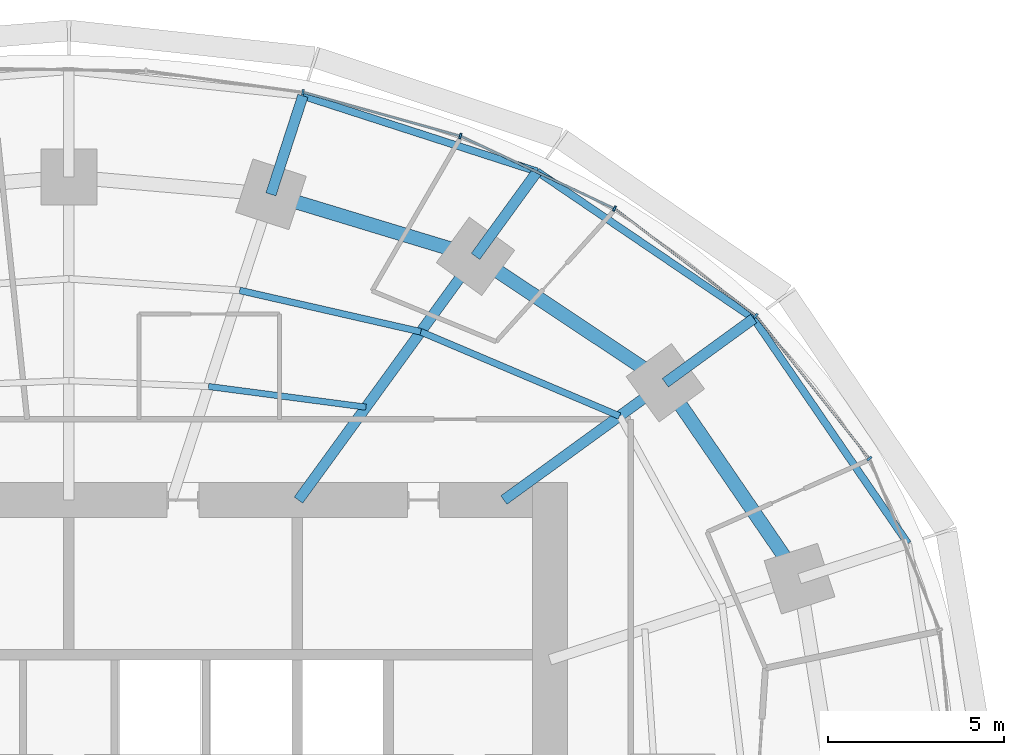
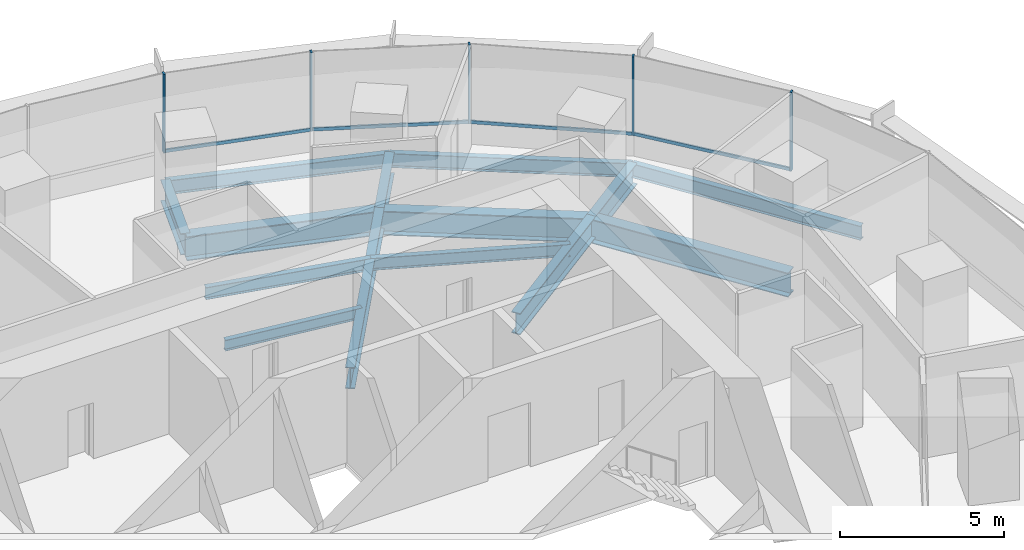
# One storey, part 8 of 14: 14 beams, 9 members, 2 elements without a shape of their own.
"""IFC4 building model written with IfcOpenShell, lengths in metres."""

from ifc_helpers import new_model, si_unit, direction, frame, origin, origin_2d, place, context, subcontext, project, spatial, rectangle, i_section, extrude, material, material_profile, profile_set, type_object, element, aggregate, save


model = new_model("IFC4")

# Units and contexts
model_context = context("Model", 3, precision=1e-05, world=origin(), true_north=direction((0.0, 1.0)))
body_context = subcontext(model_context, "Body", "Model", "MODEL_VIEW")
ifc_project = project(units=[si_unit("LENGTHUNIT", "METRE"), si_unit("AREAUNIT", "SQUARE_METRE"), si_unit("VOLUMEUNIT", "CUBIC_METRE"), si_unit("PLANEANGLEUNIT", "RADIAN"), si_unit("MASSUNIT", "GRAM", prefix="KILO")], contexts=[model_context])

# Site, building, storey
site_placement = place(None, origin())
site = spatial("IfcSite", under=ifc_project, at=site_placement, CompositionType="ELEMENT")
building_placement = place(site_placement, origin())
building = spatial("IfcBuilding", under=site, at=building_placement, Name="Marramba Exchange Tower", CompositionType="ELEMENT")
storey_placement = place(building_placement, frame((0.0, 0.0, 127.5)))
storey = spatial("IfcBuildingStorey", under=building, at=storey_placement, Name="L30", CompositionType="ELEMENT", Elevation=127.5)

# Beams
ifc_material_1 = material(Name="Steel AS/NZS 3679.2 grade 300", Category="steel")
ifc_material_profile_1 = material_profile(ifc_material_1, i_section(OverallWidth=0.300048828125, OverallDepth=0.800048828125, WebThickness=0.013916015625, FlangeThickness=0.031982421875, at=origin_2d()), Name="800WB192")
ifc_profile_set_1 = profile_set([ifc_material_profile_1], Name="Steel AS/NZS 3679.2 grade 300")
beam_type_1 = type_object("IfcBeamType", Name="Cantilever girder 800WB192", PredefinedType="BEAM", material=ifc_profile_set_1)
beam_1_placement = place(storey_placement, frame((16.98583984375, 12.3408203125, -0.56005859375), z_axis=(0.809013970709, 0.58778941399, 0.0), x_axis=(-0.58778941399, 0.809013970709, 0.0)))
element("IfcBeam", 1, at=beam_1_placement, inside=storey, type_object=beam_type_1, Name="Cantilever girder L30 TC03", PredefinedType="BEAM", context=body_context, shape_type="SweptSolid", body=[
    extrude(i_section(OverallWidth=0.300048828125, OverallDepth=0.800048828125, WebThickness=0.013916015625, FlangeThickness=0.031982421875, at=origin_2d()), origin(), (0.0, 0.0, 1.0), 3.1142578125),
])
beam_2_placement = place(storey_placement, frame((11.581298828125, 15.9404296875, -0.56005859375), z_axis=(0.587821738214, 0.808990484544, 0.0), x_axis=(-0.808990484544, 0.587821738214, 0.0)))
element("IfcBeam", 2, at=beam_2_placement, inside=storey, type_object=beam_type_1, Name="Cantilever girder L30 TC04", PredefinedType="BEAM", context=body_context, shape_type="SweptSolid", body=[
    extrude(i_section(OverallWidth=0.300048828125, OverallDepth=0.800048828125, WebThickness=0.013916015625, FlangeThickness=0.031982421875, at=origin_2d()), origin(), (0.0, 0.0, 1.0), 2.987060546875),
])
beam_3_placement = place(storey_placement, frame((5.75390625, 17.70849609375, -0.56005859375), z_axis=(0.309018704887, 0.951055960514, 0.0), x_axis=(-0.951055960514, 0.309018704887, 0.0)))
element("IfcBeam", 3, at=beam_3_placement, inside=storey, type_object=beam_type_1, Name="Cantilever girder L30 TC05", PredefinedType="BEAM", context=body_context, shape_type="SweptSolid", body=[
    extrude(i_section(OverallWidth=0.300048828125, OverallDepth=0.800048828125, WebThickness=0.013916015625, FlangeThickness=0.031982421875, at=origin_2d()), origin(), (0.0, 0.0, 1.0), 2.949951171875),
])
ifc_material_2 = material(Name="Steel AS/NZS 3679.1 grade 300", Category="steel")
ifc_material_profile_2 = material_profile(ifc_material_2, i_section(OverallWidth=0.177978515625, OverallDepth=0.406005859375, WebThickness=0.0078125, FlangeThickness=0.0126953125, FilletRadius=0.011474609375, at=origin_2d()), Name="410UB59.7")
ifc_profile_set_2 = profile_set([ifc_material_profile_2], Name="Steel AS/NZS 3679.1 grade 300")
beam_type_2 = type_object("IfcBeamType", Name="Floor joist 410UB59.7", PredefinedType="JOIST", material=ifc_profile_set_2)
beam_4_placement = place(storey_placement, frame((8.4619140625, 11.646728515625, -0.363037109375), z_axis=(-0.991480538255, 0.130254912618, 0.0), x_axis=(-0.130254912618, -0.991480538255, 0.0)))
element("IfcBeam", 4, at=beam_4_placement, inside=storey, type_object=beam_type_2, Name="Joist L30 bay 04 row 1", PredefinedType="JOIST", context=body_context, shape_type="SweptSolid", body=[
    extrude(i_section(OverallWidth=0.177978515625, OverallDepth=0.406005859375, WebThickness=0.0078125, FlangeThickness=0.0126953125, FilletRadius=0.011474609375, at=origin_2d()), origin(), (0.0, 0.0, 1.0), 4.524658203125),
])
ifc_material_profile_3 = material_profile(ifc_material_2, i_section(OverallWidth=0.18994140625, OverallDepth=0.4541015625, WebThickness=0.008544921875, FlangeThickness=0.0126953125, FilletRadius=0.011474609375, at=origin_2d()), Name="460UB67.1")
ifc_profile_set_3 = profile_set([ifc_material_profile_3], Name="Steel AS/NZS 3679.1 grade 300")
beam_type_3 = type_object("IfcBeamType", Name="Floor joist 460UB67.1", PredefinedType="JOIST", material=ifc_profile_set_3)
beam_5_placement = place(storey_placement, frame((15.682373046875, 11.393798828125, -0.386962890625), z_axis=(-0.920674336375, 0.390331610738, 0.0), x_axis=(-0.390331610738, -0.920674336375, 0.0)))
element("IfcBeam", 5, at=beam_5_placement, inside=storey, type_object=beam_type_3, Name="Joist L30 bay 03 row 2", PredefinedType="JOIST", context=body_context, shape_type="SweptSolid", body=[
    extrude(i_section(OverallWidth=0.18994140625, OverallDepth=0.4541015625, WebThickness=0.008544921875, FlangeThickness=0.0126953125, FilletRadius=0.011474609375, at=origin_2d()), origin(), (0.0, 0.0, 1.0), 6.1484375),
])
beam_6_placement = place(storey_placement, frame((10.021728515625, 13.793701171875, -0.386962890625), z_axis=(-0.974859652292, 0.222819788916, 0.0), x_axis=(-0.222819788916, -0.974859652292, 0.0)))
element("IfcBeam", 6, at=beam_6_placement, inside=storey, type_object=beam_type_3, Name="Joist L30 bay 04 row 2", PredefinedType="JOIST", context=body_context, shape_type="SweptSolid", body=[
    extrude(i_section(OverallWidth=0.18994140625, OverallDepth=0.4541015625, WebThickness=0.008544921875, FlangeThickness=0.0126953125, FilletRadius=0.011474609375, at=origin_2d()), origin(), (0.0, 0.0, 1.0), 5.2900390625),
])

# Curtain wall, members
ifc_material_3 = material(Name="Aluminium framing, bronze anodised", Category="aluminium")
curtain_wall_type = type_object("IfcCurtainWallType", Name="Office ribbon curtain wall", PredefinedType="USERDEFINED", material=ifc_material_3)
curtain_wall_1_placement = place(storey_placement, origin())
curtain_wall_1 = element("IfcCurtainWall", 7, at=curtain_wall_1_placement, inside=storey, type_object=curtain_wall_type, Name="Curtain wall CW4 L30 F01-F05", ObjectType="RIBBON CURTAIN WALL", PredefinedType="USERDEFINED")
ifc_material_4 = material(Name="Aluminium mullion, bronze anodised", Category="aluminium")
ifc_material_profile_4 = material_profile(ifc_material_4, rectangle(XDim=0.159912109375, YDim=0.06005859375, at=origin_2d()), Name="CW4 mullion 60x160")
ifc_profile_set_4 = profile_set([ifc_material_profile_4], Name="Aluminium mullion, bronze anodised")
member_type_1 = type_object("IfcMemberType", Name="Office ribbon curtain wall mullion", PredefinedType="MULLION", material=ifc_profile_set_4)
member_1_placement = place(storey_placement, frame((22.796630859375, 10.181640625, 0.800048828125), z_axis=(0.0, 0.0, 1.0), x_axis=(-0.783563266703, -0.621312004611, 0.0)))
member_1 = element("IfcMember", 8, at=member_1_placement, type_object=member_type_1, Name="CW4 mullion 1", PredefinedType="MULLION", context=body_context, shape_type="SweptSolid", body=[
    extrude(rectangle(XDim=0.159912109375, YDim=0.06005859375, at=origin_2d()), origin(), (0.0, 0.0, 1.0), 2.93994140625),
])
member_2_placement = place(storey_placement, frame((19.5625, 14.24853515625, 0.800048828125), z_axis=(0.0, 0.0, 1.0), x_axis=(-0.60533377223, -0.795971748366, 0.0)))
member_2 = element("IfcMember", 9, at=member_2_placement, type_object=member_type_1, Name="CW4 mullion 1", PredefinedType="MULLION", context=body_context, shape_type="SweptSolid", body=[
    extrude(rectangle(XDim=0.159912109375, YDim=0.06005859375, at=origin_2d()), origin(), (0.0, 0.0, 1.0), 2.93994140625),
])
member_3_placement = place(storey_placement, frame((15.538818359375, 17.300537109375, 0.800048828125), z_axis=(0.0, 0.0, 1.0), x_axis=(-0.426678995157, -0.904403137485, 0.0)))
member_3 = element("IfcMember", 10, at=member_3_placement, type_object=member_type_1, Name="CW4 mullion 1", PredefinedType="MULLION", context=body_context, shape_type="SweptSolid", body=[
    extrude(rectangle(XDim=0.159912109375, YDim=0.06005859375, at=origin_2d()), origin(), (0.0, 0.0, 1.0), 2.93994140625),
])

curtain_wall_2_placement = place(storey_placement, origin())
curtain_wall_2 = element("IfcCurtainWall", 11, at=curtain_wall_2_placement, inside=storey, type_object=curtain_wall_type, Name="Curtain wall CW4 L30 F06-F10", ObjectType="RIBBON CURTAIN WALL", PredefinedType="USERDEFINED")
member_4_placement = place(storey_placement, frame((11.147705078125, 19.366455078125, 0.800048828125), z_axis=(0.0, 0.0, 1.0), x_axis=(-0.268865090816, -0.963177845956, 0.0)))
member_4 = element("IfcMember", 12, at=member_4_placement, type_object=member_type_1, Name="CW4 mullion 1", PredefinedType="MULLION", context=body_context, shape_type="SweptSolid", body=[
    extrude(rectangle(XDim=0.159912109375, YDim=0.06005859375, at=origin_2d()), origin(), (0.0, 0.0, 1.0), 2.93994140625),
])
member_5_placement = place(storey_placement, frame((6.66650390625, 20.61328125, 0.800048828125), z_axis=(0.0, 0.0, 1.0), x_axis=(-0.135785837319, -0.990738212841, 0.0)))
member_5 = element("IfcMember", 13, at=member_5_placement, type_object=member_type_1, Name="CW4 mullion 1", PredefinedType="MULLION", context=body_context, shape_type="SweptSolid", body=[
    extrude(rectangle(XDim=0.159912109375, YDim=0.06005859375, at=origin_2d()), origin(), (0.0, 0.0, 1.0), 2.93994140625),
])

# Member
ifc_material_5 = material(Name="Aluminium transom, bronze anodised", Category="aluminium")
ifc_material_profile_5 = material_profile(ifc_material_5, rectangle(XDim=0.06005859375, YDim=0.1201171875, at=origin_2d()), Name="CW4 transom 60x120")
ifc_profile_set_5 = profile_set([ifc_material_profile_5], Name="Aluminium transom, bronze anodised")
member_type_2 = type_object("IfcMemberType", Name="Office ribbon curtain wall transom", PredefinedType="USERDEFINED", material=ifc_profile_set_5)
member_6_placement = place(storey_placement, frame((22.778076171875, 10.205078125, 0.830078125), z_axis=(-0.621339379472, 0.783541559534, 0.0), x_axis=(-0.783541559534, -0.621339379472, 0.0)))
member_6 = element("IfcMember", 14, at=member_6_placement, type_object=member_type_2, Name="CW4 sill transom", ObjectType="TRANSOM", PredefinedType="USERDEFINED", context=body_context, shape_type="SweptSolid", body=[
    extrude(rectangle(XDim=0.06005859375, YDim=0.1201171875, at=origin_2d()), origin(), (0.0, 0.0, 1.0), 5.13720703125),
])

member_7_placement = place(storey_placement, frame((19.53857421875, 14.2666015625, 0.830078125), z_axis=(-0.7959906025, 0.605308979556, 0.0), x_axis=(-0.605308979556, -0.7959906025, 0.0)))
member_7 = element("IfcMember", 15, at=member_7_placement, type_object=member_type_2, Name="CW4 sill transom", ObjectType="TRANSOM", PredefinedType="USERDEFINED", context=body_context, shape_type="SweptSolid", body=[
    extrude(rectangle(XDim=0.06005859375, YDim=0.1201171875, at=origin_2d()), origin(), (0.0, 0.0, 1.0), 4.99072265625),
])

member_8_placement = place(storey_placement, frame((15.51171875, 17.313232421875, 0.830078125), z_axis=(-0.904410826824, 0.426662696193, 0.0), x_axis=(-0.426662696193, -0.904410826824, 0.0)))
member_8 = element("IfcMember", 16, at=member_8_placement, type_object=member_type_2, Name="CW4 sill transom", ObjectType="TRANSOM", PredefinedType="USERDEFINED", context=body_context, shape_type="SweptSolid", body=[
    extrude(rectangle(XDim=0.06005859375, YDim=0.1201171875, at=origin_2d()), origin(), (0.0, 0.0, 1.0), 4.79345703125),
])

aggregate(curtain_wall_1, [member_1, member_6, member_2, member_7, member_3, member_8])

member_9_placement = place(storey_placement, frame((11.118896484375, 19.37451171875, 0.830078125), z_axis=(-0.963173567938, 0.268880415847, 0.0), x_axis=(-0.268880415847, -0.963173567938, 0.0)))
member_9 = element("IfcMember", 17, at=member_9_placement, type_object=member_type_2, Name="CW4 sill transom", ObjectType="TRANSOM", PredefinedType="USERDEFINED", context=body_context, shape_type="SweptSolid", body=[
    extrude(rectangle(XDim=0.06005859375, YDim=0.1201171875, at=origin_2d()), origin(), (0.0, 0.0, 1.0), 4.591796875),
])

aggregate(curtain_wall_2, [member_4, member_9, member_5])

# Beams
ifc_material_profile_6 = material_profile(ifc_material_1, i_section(OverallWidth=0.300048828125, OverallDepth=0.800048828125, WebThickness=0.013916015625, FlangeThickness=0.031982421875, at=origin_2d()), Name="800WB192")
ifc_profile_set_6 = profile_set([ifc_material_profile_6], Name="Steel AS/NZS 3679.2 grade 300")
beam_type_4 = type_object("IfcBeamType", Name="Radial girder 800WB192", PredefinedType="BEAM", material=ifc_profile_set_6)
beam_7_placement = place(storey_placement, frame((12.387451171875, 9.0, -0.56005859375), z_axis=(0.809025746925, 0.587773205252, 0.0), x_axis=(-0.587773205252, 0.809025746925, 0.0)))
element("IfcBeam", 18, at=beam_7_placement, inside=storey, type_object=beam_type_4, Name="Radial girder L30 TC03", PredefinedType="BEAM", context=body_context, shape_type="SweptSolid", body=[
    extrude(i_section(OverallWidth=0.300048828125, OverallDepth=0.800048828125, WebThickness=0.013916015625, FlangeThickness=0.031982421875, at=origin_2d()), origin(), (0.0, 0.0, 1.0), 5.683837890625),
])
beam_8_placement = place(storey_placement, frame((6.538818359375, 9.0, -0.56005859375), z_axis=(0.587782439969, 0.80901903764, 0.0), x_axis=(-0.80901903764, 0.587782439969, 0.0)))
element("IfcBeam", 19, at=beam_8_placement, inside=storey, type_object=beam_type_4, Name="Radial girder L30 TC04", PredefinedType="BEAM", context=body_context, shape_type="SweptSolid", body=[
    extrude(i_section(OverallWidth=0.300048828125, OverallDepth=0.800048828125, WebThickness=0.013916015625, FlangeThickness=0.031982421875, at=origin_2d()), origin(), (0.0, 0.0, 1.0), 8.578857421875),
])
ifc_material_profile_7 = material_profile(ifc_material_1, i_section(OverallWidth=0.39990234375, OverallDepth=0.89990234375, WebThickness=0.01611328125, FlangeThickness=0.031982421875, at=origin_2d()), Name="900WB282")
ifc_profile_set_7 = profile_set([ifc_material_profile_7], Name="Steel AS/NZS 3679.2 grade 300")
beam_type_5 = type_object("IfcBeamType", Name="Ring beam 900WB282", PredefinedType="SPANDREL", material=ifc_profile_set_7)
beam_9_placement = place(storey_placement, frame((20.808349609375, 6.760986328125, -0.610107421875), z_axis=(-0.56516002054, 0.824981303535, 0.0), x_axis=(-0.824981303535, -0.56516002054, 0.0)))
element("IfcBeam", 20, at=beam_9_placement, inside=storey, type_object=beam_type_5, Name="Ring beam L30 TC02-TC03", PredefinedType="SPANDREL", context=body_context, shape_type="SweptSolid", body=[
    extrude(i_section(OverallWidth=0.39990234375, OverallDepth=0.89990234375, WebThickness=0.01611328125, FlangeThickness=0.031982421875, at=origin_2d()), origin(), (0.0, 0.0, 1.0), 6.763671875),
])
beam_10_placement = place(storey_placement, frame((16.98583984375, 12.3408203125, -0.610107421875), z_axis=(-0.832293151443, 0.554335737673, 0.0), x_axis=(-0.554335737673, -0.832293151443, 0.0)))
element("IfcBeam", 21, at=beam_10_placement, inside=storey, type_object=beam_type_5, Name="Ring beam L30 TC03-TC04", PredefinedType="SPANDREL", context=body_context, shape_type="SweptSolid", body=[
    extrude(i_section(OverallWidth=0.39990234375, OverallDepth=0.89990234375, WebThickness=0.01611328125, FlangeThickness=0.031982421875, at=origin_2d()), origin(), (0.0, 0.0, 1.0), 6.49365234375),
])
beam_11_placement = place(storey_placement, frame((11.581298828125, 15.9404296875, -0.610107421875), z_axis=(-0.956924542524, 0.290336735387, 0.0), x_axis=(-0.290336735387, -0.956924542524, 0.0)))
element("IfcBeam", 22, at=beam_11_placement, inside=storey, type_object=beam_type_5, Name="Ring beam L30 TC04-TC05", PredefinedType="SPANDREL", context=body_context, shape_type="SweptSolid", body=[
    extrude(i_section(OverallWidth=0.39990234375, OverallDepth=0.89990234375, WebThickness=0.01611328125, FlangeThickness=0.031982421875, at=origin_2d()), origin(), (0.0, 0.0, 1.0), 6.089599609375),
])
ifc_material_profile_8 = material_profile(ifc_material_2, i_section(OverallWidth=0.208984375, OverallDepth=0.528076171875, WebThickness=0.009521484375, FlangeThickness=0.01318359375, FilletRadius=0.013916015625, at=origin_2d()), Name="530UB82.0")
ifc_profile_set_8 = profile_set([ifc_material_profile_8], Name="Steel AS/NZS 3679.1 grade 300")
beam_type_6 = type_object("IfcBeamType", Name="Slab edge beam 530UB82.0", PredefinedType="SPANDREL", material=ifc_profile_set_8)
beam_12_placement = place(storey_placement, frame((23.89501953125, 7.763916015625, -0.424072265625), z_axis=(-0.56517400038, 0.824971726361, 0.0), x_axis=(-0.824971726361, -0.56517400038, 0.0)))
element("IfcBeam", 23, at=beam_12_placement, inside=storey, type_object=beam_type_6, Name="Slab edge beam L30 TC02-TC03", PredefinedType="SPANDREL", context=body_context, shape_type="SweptSolid", body=[
    extrude(i_section(OverallWidth=0.208984375, OverallDepth=0.528076171875, WebThickness=0.009521484375, FlangeThickness=0.01318359375, FilletRadius=0.013916015625, at=origin_2d()), origin(), (0.0, 0.0, 1.0), 7.766845703125),
])
beam_13_placement = place(storey_placement, frame((19.50537109375, 14.17138671875, -0.424072265625), z_axis=(-0.827477404833, 0.561499015574, 0.0), x_axis=(-0.561499015574, -0.827477404833, 0.0)))
element("IfcBeam", 24, at=beam_13_placement, inside=storey, type_object=beam_type_6, Name="Slab edge beam L30 TC03-TC04", PredefinedType="SPANDREL", context=body_context, shape_type="SweptSolid", body=[
    extrude(i_section(OverallWidth=0.208984375, OverallDepth=0.528076171875, WebThickness=0.009521484375, FlangeThickness=0.01318359375, FilletRadius=0.013916015625, at=origin_2d()), origin(), (0.0, 0.0, 1.0), 7.454345703125),
])
beam_14_placement = place(storey_placement, frame((13.337158203125, 18.35693359375, -0.424072265625), z_axis=(-0.951496392577, 0.307659901373, 0.0), x_axis=(-0.307659901373, -0.951496392577, 0.0)))
element("IfcBeam", 25, at=beam_14_placement, inside=storey, type_object=beam_type_6, Name="Slab edge beam L30 TC04-TC05", PredefinedType="SPANDREL", context=body_context, shape_type="SweptSolid", body=[
    extrude(i_section(OverallWidth=0.208984375, OverallDepth=0.528076171875, WebThickness=0.009521484375, FlangeThickness=0.01318359375, FilletRadius=0.013916015625, at=origin_2d()), origin(), (0.0, 0.0, 1.0), 7.01171875),
])

save(model, "model.ifc")
